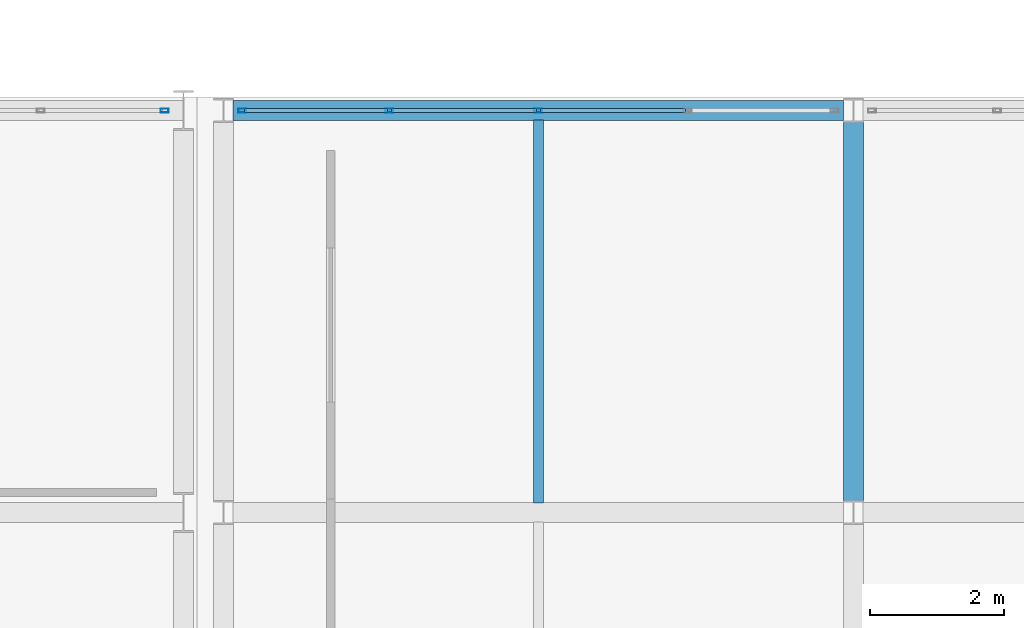
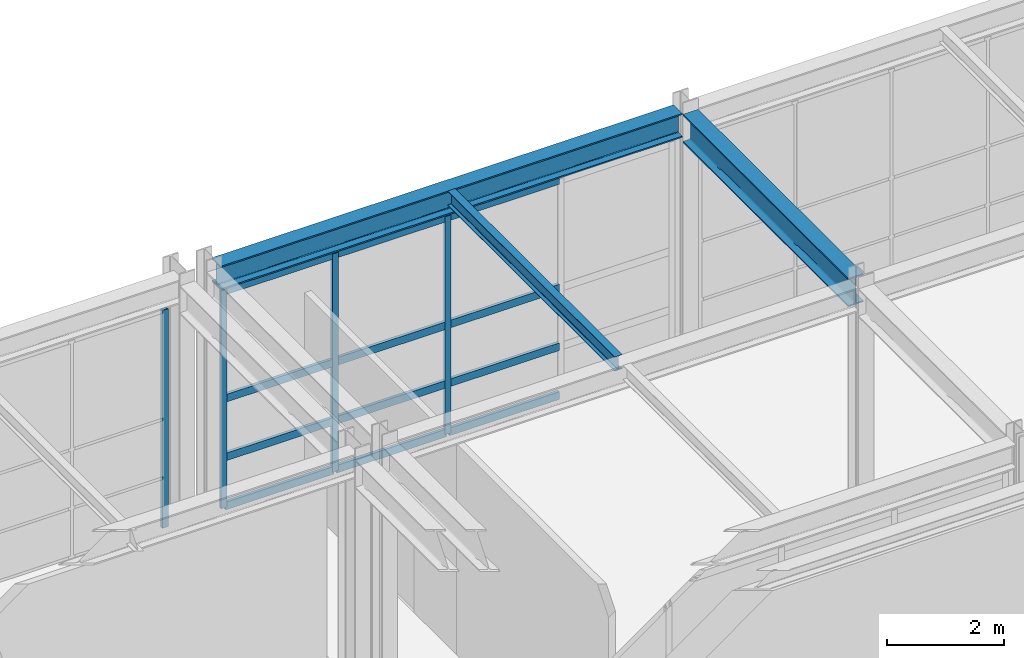
# One storey, part 173 of 239: 16 members, 3 beams, 2 elements without a shape of their own.
"""IFC4 building model written with IfcOpenShell, lengths in metres."""

from ifc_helpers import new_model, si_unit, direction, frame, origin, origin_2d, place, context, subcontext, project, spatial, hollow_rectangle, i_section, extrude, material, material_profile, profile_set, type_object, element, aggregate, save


model = new_model("IFC4")

# Units and contexts
model_context = context("Model", 3, precision=1e-05, world=origin(), true_north=direction((0.0, 1.0)))
body_context = subcontext(model_context, "Body", "Model", "MODEL_VIEW")
ifc_project = project(units=[si_unit("LENGTHUNIT", "METRE"), si_unit("AREAUNIT", "SQUARE_METRE"), si_unit("VOLUMEUNIT", "CUBIC_METRE"), si_unit("PLANEANGLEUNIT", "RADIAN"), si_unit("MASSUNIT", "GRAM", prefix="KILO")], contexts=[model_context])

# Site, building, storey
site_placement = place(None, origin())
site = spatial("IfcSite", under=ifc_project, at=site_placement, CompositionType="ELEMENT")
building_placement = place(site_placement, origin())
building = spatial("IfcBuilding", under=site, at=building_placement, Name="Kaldris Quays Convention Centre", CompositionType="ELEMENT")
storey_placement = place(building_placement, frame((0.0, 0.0, 11.39990234375)))
storey = spatial("IfcBuildingStorey", under=building, at=storey_placement, Name="L02", CompositionType="ELEMENT", Elevation=11.39990234375)

# Curtain wall, member
ifc_material_1 = material(Name="Anodized aluminium AW-6060 and triple glazing", Category="aluminium")
curtain_wall_type_1 = type_object("IfcCurtainWallType", Name="UNITISED CURTAIN WALL CW05", PredefinedType="NOTDEFINED", material=ifc_material_1)
curtain_wall_1_placement = place(storey_placement, origin())
curtain_wall_1 = element("IfcCurtainWall", 1, at=curtain_wall_1_placement, inside=storey, type_object=curtain_wall_type_1, Name="L02 Unitised Curtain Wall CW05 144", PredefinedType="NOTDEFINED")
ifc_material_2 = material(Name="Anodized aluminium AW-6060", Category="aluminium")
ifc_material_profile_1 = material_profile(ifc_material_2, hollow_rectangle(XDim=0.06005859375, YDim=0.1201171875, WallThickness=0.00390625, at=origin_2d()), Name="RHS 120x60x4")
ifc_profile_set_1 = profile_set([ifc_material_profile_1], Name="Anodized aluminium AW-6060")
member_type_1 = type_object("IfcMemberType", Name="CURTAIN MULLION CWM3", PredefinedType="MULLION", material=ifc_profile_set_1)
member_1_placement = place(storey_placement, frame((163.719970703125, 116.0, 0.0), z_axis=(0.0, 0.0, 1.0), x_axis=(0.0, 1.0, 0.0)))
member_1 = element("IfcMember", 2, at=member_1_placement, type_object=member_type_1, Name="CW05 mullion 10", PredefinedType="MULLION", context=body_context, shape_type="SweptSolid", body=[
    extrude(hollow_rectangle(XDim=0.06005859375, YDim=0.1201171875, WallThickness=0.00390625, at=origin_2d()), origin(), (0.0, 0.0, 1.0), 4.548095703125),
])
aggregate(curtain_wall_1, [member_1])

# Curtain wall, members
curtain_wall_type_2 = type_object("IfcCurtainWallType", Name="UNITISED CURTAIN WALL CW06", PredefinedType="NOTDEFINED", material=ifc_material_1)
curtain_wall_2_placement = place(storey_placement, origin())
curtain_wall_2 = element("IfcCurtainWall", 3, at=curtain_wall_2_placement, inside=storey, type_object=curtain_wall_type_2, Name="L02 Unitised Curtain Wall CW06 166", PredefinedType="NOTDEFINED")
member_2_placement = place(storey_placement, frame((164.8798828125, 116.0, 0.0), z_axis=(0.0, 0.0, 1.0), x_axis=(0.0, 1.0, 0.0)))
member_2 = element("IfcMember", 4, at=member_2_placement, type_object=member_type_1, Name="CW06 mullion 1", PredefinedType="MULLION", context=body_context, shape_type="SweptSolid", body=[
    extrude(hollow_rectangle(XDim=0.06005859375, YDim=0.1201171875, WallThickness=0.00390625, at=origin_2d()), origin(), (0.0, 0.0, 1.0), 4.548095703125),
])
member_3_placement = place(storey_placement, frame((167.074951171875, 116.0, 0.0), z_axis=(0.0, 0.0, 1.0), x_axis=(0.0, 1.0, 0.0)))
member_3 = element("IfcMember", 5, at=member_3_placement, type_object=member_type_1, Name="CW06 mullion 2", PredefinedType="MULLION", context=body_context, shape_type="SweptSolid", body=[
    extrude(hollow_rectangle(XDim=0.06005859375, YDim=0.1201171875, WallThickness=0.00390625, at=origin_2d()), origin(), (0.0, 0.0, 1.0), 4.548095703125),
])
member_4_placement = place(storey_placement, frame((169.300048828125, 116.0, 0.0), z_axis=(0.0, 0.0, 1.0), x_axis=(0.0, 1.0, 0.0)))
member_4 = element("IfcMember", 6, at=member_4_placement, type_object=member_type_1, Name="CW06 mullion 3", PredefinedType="MULLION", context=body_context, shape_type="SweptSolid", body=[
    extrude(hollow_rectangle(XDim=0.06005859375, YDim=0.1201171875, WallThickness=0.00390625, at=origin_2d()), origin(), (0.0, 0.0, 1.0), 4.548095703125),
])
ifc_material_profile_2 = material_profile(ifc_material_2, hollow_rectangle(XDim=0.06005859375, YDim=0.159912109375, WallThickness=0.00390625, at=origin_2d()), Name="RHS 160x60x4")
ifc_profile_set_2 = profile_set([ifc_material_profile_2], Name="Anodized aluminium AW-6060")
member_type_2 = type_object("IfcMemberType", Name="CURTAIN TRANSOM CWT2", PredefinedType="USERDEFINED", material=ifc_profile_set_2)
member_5_placement = place(storey_placement, frame((164.909912109375, 116.0, 0.030029296875), z_axis=(1.0, 0.0, 0.0), x_axis=(0.0, 1.0, 0.0)))
member_5 = element("IfcMember", 7, at=member_5_placement, type_object=member_type_2, Name="CW06 transom 1.1", ObjectType="TRANSOM", PredefinedType="USERDEFINED", context=body_context, shape_type="SweptSolid", body=[
    extrude(hollow_rectangle(XDim=0.06005859375, YDim=0.159912109375, WallThickness=0.00390625, at=origin_2d()), origin(), (0.0, 0.0, 1.0), 2.135009765625),
])
member_6_placement = place(storey_placement, frame((164.909912109375, 116.0, 1.050048828125), z_axis=(1.0, 0.0, 0.0), x_axis=(0.0, 1.0, 0.0)))
member_6 = element("IfcMember", 8, at=member_6_placement, type_object=member_type_2, Name="CW06 transom 1.2", ObjectType="TRANSOM", PredefinedType="USERDEFINED", context=body_context, shape_type="SweptSolid", body=[
    extrude(hollow_rectangle(XDim=0.06005859375, YDim=0.159912109375, WallThickness=0.00390625, at=origin_2d()), origin(), (0.0, 0.0, 1.0), 2.135009765625),
])
member_7_placement = place(storey_placement, frame((164.909912109375, 116.0, 2.274169921875), z_axis=(1.0, 0.0, 0.0), x_axis=(0.0, 1.0, 0.0)))
member_7 = element("IfcMember", 9, at=member_7_placement, type_object=member_type_2, Name="CW06 transom 1.3", ObjectType="TRANSOM", PredefinedType="USERDEFINED", context=body_context, shape_type="SweptSolid", body=[
    extrude(hollow_rectangle(XDim=0.06005859375, YDim=0.159912109375, WallThickness=0.00390625, at=origin_2d()), origin(), (0.0, 0.0, 1.0), 2.135009765625),
])
member_8_placement = place(storey_placement, frame((164.909912109375, 116.0, 4.51806640625), z_axis=(1.0, 0.0, 0.0), x_axis=(0.0, 1.0, 0.0)))
member_8 = element("IfcMember", 10, at=member_8_placement, type_object=member_type_2, Name="CW06 transom 1.4", ObjectType="TRANSOM", PredefinedType="USERDEFINED", context=body_context, shape_type="SweptSolid", body=[
    extrude(hollow_rectangle(XDim=0.06005859375, YDim=0.159912109375, WallThickness=0.00390625, at=origin_2d()), origin(), (0.0, 0.0, 1.0), 2.135009765625),
])
member_9_placement = place(storey_placement, frame((167.10498046875, 116.0, 0.030029296875), z_axis=(1.0, 0.0, 0.0), x_axis=(0.0, 1.0, 0.0)))
member_9 = element("IfcMember", 11, at=member_9_placement, type_object=member_type_2, Name="CW06 transom 2.1", ObjectType="TRANSOM", PredefinedType="USERDEFINED", context=body_context, shape_type="SweptSolid", body=[
    extrude(hollow_rectangle(XDim=0.06005859375, YDim=0.159912109375, WallThickness=0.00390625, at=origin_2d()), origin(), (0.0, 0.0, 1.0), 2.1650390625),
])
member_10_placement = place(storey_placement, frame((167.10498046875, 116.0, 1.050048828125), z_axis=(1.0, 0.0, 0.0), x_axis=(0.0, 1.0, 0.0)))
member_10 = element("IfcMember", 12, at=member_10_placement, type_object=member_type_2, Name="CW06 transom 2.2", ObjectType="TRANSOM", PredefinedType="USERDEFINED", context=body_context, shape_type="SweptSolid", body=[
    extrude(hollow_rectangle(XDim=0.06005859375, YDim=0.159912109375, WallThickness=0.00390625, at=origin_2d()), origin(), (0.0, 0.0, 1.0), 2.1650390625),
])
member_11_placement = place(storey_placement, frame((167.10498046875, 116.0, 2.274169921875), z_axis=(1.0, 0.0, 0.0), x_axis=(0.0, 1.0, 0.0)))
member_11 = element("IfcMember", 13, at=member_11_placement, type_object=member_type_2, Name="CW06 transom 2.3", ObjectType="TRANSOM", PredefinedType="USERDEFINED", context=body_context, shape_type="SweptSolid", body=[
    extrude(hollow_rectangle(XDim=0.06005859375, YDim=0.159912109375, WallThickness=0.00390625, at=origin_2d()), origin(), (0.0, 0.0, 1.0), 2.1650390625),
])
member_12_placement = place(storey_placement, frame((167.10498046875, 116.0, 4.51806640625), z_axis=(1.0, 0.0, 0.0), x_axis=(0.0, 1.0, 0.0)))
member_12 = element("IfcMember", 14, at=member_12_placement, type_object=member_type_2, Name="CW06 transom 2.4", ObjectType="TRANSOM", PredefinedType="USERDEFINED", context=body_context, shape_type="SweptSolid", body=[
    extrude(hollow_rectangle(XDim=0.06005859375, YDim=0.159912109375, WallThickness=0.00390625, at=origin_2d()), origin(), (0.0, 0.0, 1.0), 2.1650390625),
])
member_13_placement = place(storey_placement, frame((169.330078125, 116.0, 0.030029296875), z_axis=(1.0, 0.0, 0.0), x_axis=(0.0, 1.0, 0.0)))
member_13 = element("IfcMember", 15, at=member_13_placement, type_object=member_type_2, Name="CW06 transom 3.1", ObjectType="TRANSOM", PredefinedType="USERDEFINED", context=body_context, shape_type="SweptSolid", body=[
    extrude(hollow_rectangle(XDim=0.06005859375, YDim=0.159912109375, WallThickness=0.00390625, at=origin_2d()), origin(), (0.0, 0.0, 1.0), 2.1650390625),
])
member_14_placement = place(storey_placement, frame((169.330078125, 116.0, 1.050048828125), z_axis=(1.0, 0.0, 0.0), x_axis=(0.0, 1.0, 0.0)))
member_14 = element("IfcMember", 16, at=member_14_placement, type_object=member_type_2, Name="CW06 transom 3.2", ObjectType="TRANSOM", PredefinedType="USERDEFINED", context=body_context, shape_type="SweptSolid", body=[
    extrude(hollow_rectangle(XDim=0.06005859375, YDim=0.159912109375, WallThickness=0.00390625, at=origin_2d()), origin(), (0.0, 0.0, 1.0), 2.1650390625),
])
member_15_placement = place(storey_placement, frame((169.330078125, 116.0, 2.274169921875), z_axis=(1.0, 0.0, 0.0), x_axis=(0.0, 1.0, 0.0)))
member_15 = element("IfcMember", 17, at=member_15_placement, type_object=member_type_2, Name="CW06 transom 3.3", ObjectType="TRANSOM", PredefinedType="USERDEFINED", context=body_context, shape_type="SweptSolid", body=[
    extrude(hollow_rectangle(XDim=0.06005859375, YDim=0.159912109375, WallThickness=0.00390625, at=origin_2d()), origin(), (0.0, 0.0, 1.0), 2.1650390625),
])
member_16_placement = place(storey_placement, frame((169.330078125, 116.0, 4.51806640625), z_axis=(1.0, 0.0, 0.0), x_axis=(0.0, 1.0, 0.0)))
member_16 = element("IfcMember", 18, at=member_16_placement, type_object=member_type_2, Name="CW06 transom 3.4", ObjectType="TRANSOM", PredefinedType="USERDEFINED", context=body_context, shape_type="SweptSolid", body=[
    extrude(hollow_rectangle(XDim=0.06005859375, YDim=0.159912109375, WallThickness=0.00390625, at=origin_2d()), origin(), (0.0, 0.0, 1.0), 2.1650390625),
])
aggregate(curtain_wall_2, [member_2, member_3, member_4, member_5, member_6, member_7, member_8, member_9, member_10, member_11, member_12, member_13, member_14, member_15, member_16])

# Beams
ifc_material_3 = material(Name="Steel S355J2", Category="steel")
ifc_material_profile_3 = material_profile(ifc_material_3, i_section(OverallWidth=0.300048828125, OverallDepth=0.5, WebThickness=0.014404296875, FlangeThickness=0.028076171875, FilletRadius=0.027099609375, at=origin_2d()), Name="HEB 500")
ifc_profile_set_3 = profile_set([ifc_material_profile_3], Name="Steel S355J2")
beam_type_1 = type_object("IfcBeamType", Name="STRUCTURAL BEAM BM06", PredefinedType="BEAM", material=ifc_profile_set_3)
beam_1_placement = place(storey_placement, frame((164.743896484375, 116.0, 4.9130859375), z_axis=(1.0, 0.0, 0.0), x_axis=(0.0, 1.0, 0.0)))
element("IfcBeam", 19, at=beam_1_placement, inside=storey, type_object=beam_type_1, Name="L02 Girder BM06 53", PredefinedType="BEAM", context=body_context, shape_type="SweptSolid", body=[
    extrude(i_section(OverallWidth=0.300048828125, OverallDepth=0.5, WebThickness=0.014404296875, FlangeThickness=0.028076171875, FilletRadius=0.027099609375, at=origin_2d()), origin(), (0.0, 0.0, 1.0), 9.112060546875),
])
ifc_material_profile_4 = material_profile(ifc_material_3, i_section(OverallWidth=0.300048828125, OverallDepth=0.590087890625, WebThickness=0.012939453125, FlangeThickness=0.02490234375, FilletRadius=0.027099609375, at=origin_2d()), Name="HEA 600")
ifc_profile_set_4 = profile_set([ifc_material_profile_4], Name="Steel S355J2")
beam_type_2 = type_object("IfcBeamType", Name="STRUCTURAL BEAM BM08", PredefinedType="BEAM", material=ifc_profile_set_4)
beam_2_placement = place(storey_placement, frame((174.0, 110.174072265625, 4.8681640625), z_axis=(0.0, 1.0, 0.0), x_axis=(-1.0, 0.0, 0.0)))
element("IfcBeam", 20, at=beam_2_placement, inside=storey, type_object=beam_type_2, Name="L02 Girder BM08 105", PredefinedType="BEAM", context=body_context, shape_type="SweptSolid", body=[
    extrude(i_section(OverallWidth=0.300048828125, OverallDepth=0.590087890625, WebThickness=0.012939453125, FlangeThickness=0.02490234375, FilletRadius=0.027099609375, at=origin_2d()), origin(), (0.0, 0.0, 1.0), 5.65185546875),
])
ifc_material_profile_5 = material_profile(ifc_material_3, i_section(OverallWidth=0.14990234375, OverallDepth=0.300048828125, WebThickness=0.007080078125, FlangeThickness=0.0107421875, FilletRadius=0.014892578125, at=origin_2d()), Name="IPE 300")
ifc_profile_set_5 = profile_set([ifc_material_profile_5], Name="Steel S355J2")
beam_type_3 = type_object("IfcBeamType", Name="STRUCTURAL BEAM JT04", PredefinedType="JOIST", material=ifc_profile_set_5)
beam_3_placement = place(storey_placement, frame((169.300048828125, 110.14404296875, 5.01318359375), z_axis=(0.0, 1.0, 0.0), x_axis=(-1.0, 0.0, 0.0)))
element("IfcBeam", 21, at=beam_3_placement, inside=storey, type_object=beam_type_3, Name="L02 Secondary Joist JT04 33", PredefinedType="JOIST", context=body_context, shape_type="SweptSolid", body=[
    extrude(i_section(OverallWidth=0.14990234375, OverallDepth=0.300048828125, WebThickness=0.007080078125, FlangeThickness=0.0107421875, FilletRadius=0.014892578125, at=origin_2d()), origin(), (0.0, 0.0, 1.0), 5.7119140625),
])

save(model, "model.ifc")
